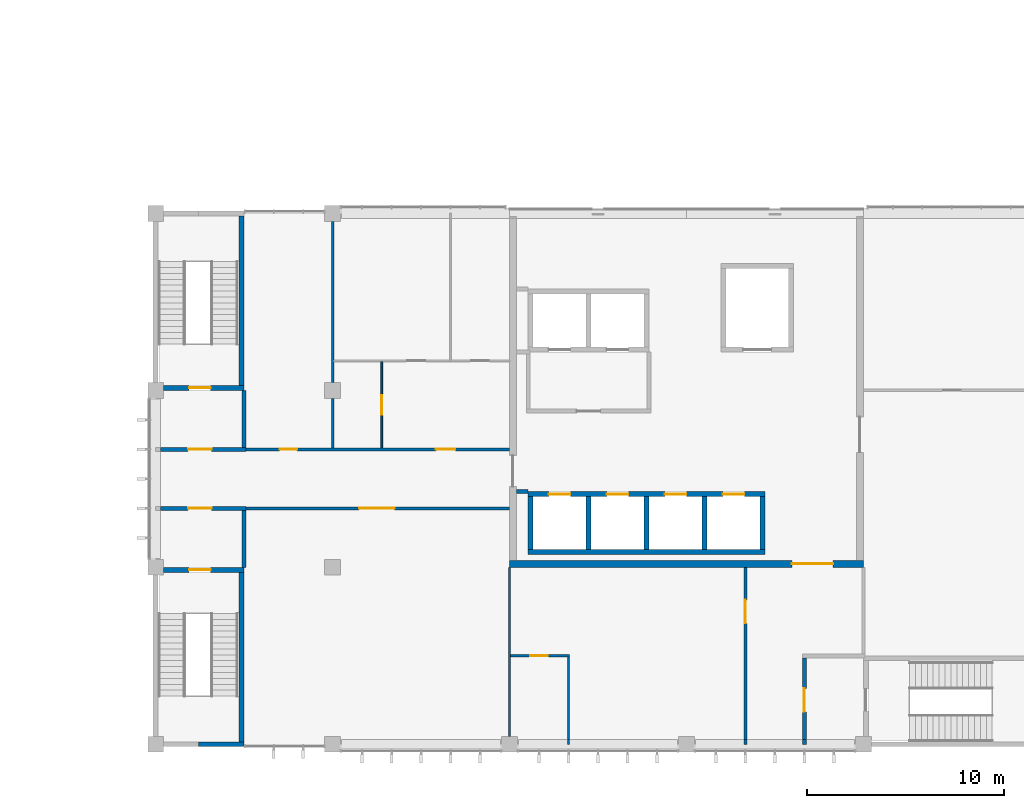
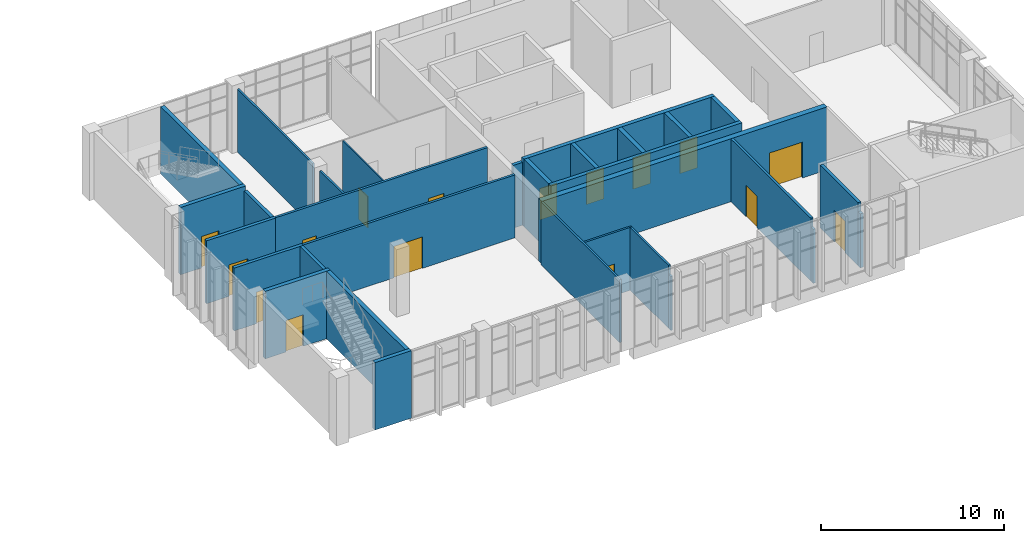
# One storey, part 28 of 40: 31 walls, 16 doors, 16 openings.
"""IFC4 building model written with IfcOpenShell, lengths in metres."""

from ifc_helpers import new_model, si_unit, direction, frame, frame_2d, origin, place, context, subcontext, project, spatial, rectangle, extrude, material, layer, layer_set, type_object, element, fill, save


model = new_model("IFC4")

# Units and contexts
model_context = context("Model", 3, precision=1e-05, world=origin(), true_north=direction((0.0, 1.0)))
body_context = subcontext(model_context, "Body", "Model", "MODEL_VIEW")
ifc_project = project(units=[si_unit("LENGTHUNIT", "METRE"), si_unit("AREAUNIT", "SQUARE_METRE"), si_unit("VOLUMEUNIT", "CUBIC_METRE"), si_unit("PLANEANGLEUNIT", "RADIAN"), si_unit("MASSUNIT", "GRAM", prefix="KILO")], contexts=[model_context])

# Site, building, storey
site_placement = place(None, origin())
site = spatial("IfcSite", under=ifc_project, at=site_placement, CompositionType="ELEMENT")
building_placement = place(site_placement, origin())
building = spatial("IfcBuilding", under=site, at=building_placement, Name="Guidao Yard Department Store", CompositionType="ELEMENT")
storey_placement = place(building_placement, frame((0.0, 0.0, 24.0)))
storey = spatial("IfcBuildingStorey", under=building, at=storey_placement, Name="L05", CompositionType="ELEMENT", Elevation=24.0)

# Wall, opening, door
ifc_material_1 = material(Name="Gypsum Board")
ifc_layer_1 = layer(ifc_material_1, 0.14990234375)
ifc_layer_set_1 = layer_set([ifc_layer_1], Name="Corridor Partition 150 Gypsum Board EI 60")
wall_type_1 = type_object("IfcWallType", Name="Corridor Partition 150 Gypsum Board EI 60", PredefinedType="PARTITIONING", material=ifc_layer_set_1)
wall_1_placement = place(storey_placement, frame((130.39990234375, 12.0, 0.0), z_axis=(0.0, 0.0, 1.0), x_axis=(1.0, 0.0, 0.0)))
wall_1 = element("IfcWall", 1, at=wall_1_placement, inside=storey, type_object=wall_type_1, Name="pt.wall.L05.0005", PredefinedType="PARTITIONING", context=body_context, shape_type="SweptSolid", body=[
    extrude(rectangle(XDim=13.60009765625, YDim=0.14990234375, at=frame_2d((6.800048828125, 0.0))), origin(), (0.0, 0.0, 1.0), 4.199951171875),
])
opening_1_placement = place(wall_1_placement, frame((7.75, 0.0, 0.0), z_axis=(0.0, 0.0, 1.0), x_axis=(-1.0, 0.0, 0.0)))
opening_1 = element("IfcOpeningElement", 2, at=opening_1_placement, cuts=wall_1, Name="Opening L05-412", PredefinedType="OPENING", context=body_context, shape_type="SweptSolid", body=[
    extrude(rectangle(XDim=1.800048828125, YDim=2.10009765625, at=frame_2d((0.89990234375, 1.050048828125))), frame((0.0, 0.0849609375, 0.0), z_axis=(0.0, -1.0, 0.0), x_axis=(1.0, 0.0, 0.0)), (0.0, 0.0, 1.0), 0.169921875),
])
ifc_material_2 = material(Name="Timber door leaf with Steel Q235 frame", Category="steel")
door_type_1 = type_object("IfcDoorType", Name="Door 1800 x 2100 FD30 Double Leaf", OperationType="DOUBLE_DOOR_SINGLE_SWING", PredefinedType="DOOR", material=ifc_material_2)
door_1_placement = place(opening_1_placement, origin())
door_1 = element("IfcDoor", 3, at=door_1_placement, inside=storey, type_object=door_type_1, Name="Door L05-412", OperationType="DOUBLE_DOOR_SINGLE_SWING", OverallHeight=2.10009765625, OverallWidth=1.800048828125, PredefinedType="DOOR", context=body_context, shape_type="SweptSolid", body=[
    extrude(rectangle(XDim=1.800048828125, YDim=2.10009765625, at=frame_2d((0.89990234375, 1.050048828125))), frame((0.0, 0.02490234375, 0.0), z_axis=(0.0, -1.0, 0.0), x_axis=(1.0, 0.0, 0.0)), (0.0, 0.0, 1.0), 0.050048828125),
])
fill(opening_1, door_1)

# Wall, openings, doors
wall_2_placement = place(storey_placement, frame((130.39990234375, 15.0, 0.0), z_axis=(0.0, 0.0, 1.0), x_axis=(1.0, 0.0, 0.0)))
wall_2 = element("IfcWall", 4, at=wall_2_placement, inside=storey, type_object=wall_type_1, Name="pt.wall.L05.0008", PredefinedType="PARTITIONING", context=body_context, shape_type="SweptSolid", body=[
    extrude(rectangle(XDim=13.60009765625, YDim=0.14990234375, at=frame_2d((6.800048828125, 0.0))), origin(), (0.0, 0.0, 1.0), 4.199951171875),
])
opening_2_placement = place(wall_2_placement, frame((9.85009765625, 0.0, 0.0)))
opening_2 = element("IfcOpeningElement", 5, at=opening_2_placement, cuts=wall_2, Name="Opening L05-407", PredefinedType="OPENING", context=body_context, shape_type="SweptSolid", body=[
    extrude(rectangle(XDim=1.0, YDim=2.10009765625, at=frame_2d((0.5, 1.050048828125))), frame((0.0, 0.0849609375, 0.0), z_axis=(0.0, -1.0, 0.0), x_axis=(1.0, 0.0, 0.0)), (0.0, 0.0, 1.0), 0.169921875),
])
opening_3_placement = place(wall_2_placement, frame((1.89990234375, 0.0, 0.0)))
opening_3 = element("IfcOpeningElement", 6, at=opening_3_placement, cuts=wall_2, Name="Opening L05-411", PredefinedType="OPENING", context=body_context, shape_type="SweptSolid", body=[
    extrude(rectangle(XDim=0.89990234375, YDim=2.10009765625, at=frame_2d((0.449951171875, 1.050048828125))), frame((0.0, 0.0849609375, 0.0), z_axis=(0.0, -1.0, 0.0), x_axis=(1.0, 0.0, 0.0)), (0.0, 0.0, 1.0), 0.169921875),
])
ifc_material_3 = material(Name="Timber door leaf with Steel Q235 frame", Category="steel")
door_type_2 = type_object("IfcDoorType", Name="Door 1000 x 2100 FD30 Single Leaf", OperationType="SINGLE_SWING_LEFT", PredefinedType="DOOR", material=ifc_material_3)
door_2_placement = place(opening_2_placement, origin())
door_2 = element("IfcDoor", 7, at=door_2_placement, inside=storey, type_object=door_type_2, Name="Door L05-407", OperationType="SINGLE_SWING_RIGHT", OverallHeight=2.10009765625, OverallWidth=1.0, PredefinedType="DOOR", context=body_context, shape_type="SweptSolid", body=[
    extrude(rectangle(XDim=1.0, YDim=2.10009765625, at=frame_2d((0.5, 1.050048828125))), frame((0.0, 0.02490234375, 0.0), z_axis=(0.0, -1.0, 0.0), x_axis=(1.0, 0.0, 0.0)), (0.0, 0.0, 1.0), 0.050048828125),
])
fill(opening_2, door_2)
ifc_material_4 = material(Name="Timber door leaf with Steel Q235 frame", Category="steel")
door_type_3 = type_object("IfcDoorType", Name="Door 900 x 2100 FD30 Single Leaf", OperationType="SINGLE_SWING_LEFT", PredefinedType="DOOR", material=ifc_material_4)
door_3_placement = place(opening_3_placement, origin())
door_3 = element("IfcDoor", 8, at=door_3_placement, inside=storey, type_object=door_type_3, Name="Door L05-411", OperationType="SINGLE_SWING_LEFT", OverallHeight=2.10009765625, OverallWidth=0.89990234375, PredefinedType="DOOR", context=body_context, shape_type="SweptSolid", body=[
    extrude(rectangle(XDim=0.89990234375, YDim=2.10009765625, at=frame_2d((0.449951171875, 1.050048828125))), frame((0.0, 0.02490234375, 0.0), z_axis=(0.0, -1.0, 0.0), x_axis=(1.0, 0.0, 0.0)), (0.0, 0.0, 1.0), 0.050048828125),
])
fill(opening_3, door_3)

# Wall
wall_3_placement = place(storey_placement, frame((156.0, 0.0, 0.0), z_axis=(0.0, 0.0, 1.0), x_axis=(0.0, 1.0, 0.0)))
element("IfcWall", 9, at=wall_3_placement, inside=storey, type_object=wall_type_1, Name="pt.wall.L05.0025", PredefinedType="PARTITIONING", context=body_context, shape_type="SweptSolid", body=[
    extrude(rectangle(XDim=0.25, YDim=0.14990234375, at=frame_2d((0.125, 0.0))), origin(), (0.0, 0.0, 1.0), 3.60009765625),
])

# Wall, opening, door
wall_4_placement = place(storey_placement, frame((156.0, 0.25, 0.0), z_axis=(0.0, 0.0, 1.0), x_axis=(0.0, 1.0, 0.0)))
wall_4 = element("IfcWall", 10, at=wall_4_placement, inside=storey, type_object=wall_type_1, Name="pt.wall.L05.0025a", PredefinedType="PARTITIONING", context=body_context, shape_type="SweptSolid", body=[
    extrude(rectangle(XDim=8.75, YDim=0.14990234375, at=frame_2d((4.375, 0.0))), origin(), (0.0, 0.0, 1.0), 4.199951171875),
])
opening_4_placement = place(wall_4_placement, frame((5.89990234375, 0.0, 0.0)))
opening_4 = element("IfcOpeningElement", 11, at=opening_4_placement, cuts=wall_4, Name="Opening L05-413", PredefinedType="OPENING", context=body_context, shape_type="SweptSolid", body=[
    extrude(rectangle(XDim=1.199951171875, YDim=2.10009765625, at=frame_2d((0.60009765625, 1.050048828125))), frame((0.0, 0.0849609375, 0.0), z_axis=(0.0, -1.0, 0.0), x_axis=(1.0, 0.0, 0.0)), (0.0, 0.0, 1.0), 0.169921875),
])
ifc_material_5 = material(Name="Timber door leaf with Steel Q235 frame", Category="steel")
door_type_4 = type_object("IfcDoorType", Name="Door 1200 x 2100 FD30 Single Leaf", OperationType="SINGLE_SWING_LEFT", PredefinedType="DOOR", material=ifc_material_5)
door_4_placement = place(opening_4_placement, origin())
door_4 = element("IfcDoor", 12, at=door_4_placement, inside=storey, type_object=door_type_4, Name="Door L05-413", OperationType="SINGLE_SWING_RIGHT", OverallHeight=2.10009765625, OverallWidth=1.199951171875, PredefinedType="DOOR", context=body_context, shape_type="SweptSolid", body=[
    extrude(rectangle(XDim=1.199951171875, YDim=2.10009765625, at=frame_2d((0.60009765625, 1.050048828125))), frame((0.0, 0.02490234375, 0.0), z_axis=(0.0, -1.0, 0.0), x_axis=(1.0, 0.0, 0.0)), (0.0, 0.0, 1.0), 0.050048828125),
])
fill(opening_4, door_4)

ifc_material_6 = material(Name="Gypsum Board")
ifc_layer_2 = layer(ifc_material_6, 0.1201171875)
ifc_layer_set_2 = layer_set([ifc_layer_2], Name="Partition 120 Gypsum Board EI 45")
wall_type_2 = type_object("IfcWallType", Name="Partition 120 Gypsum Board EI 45", PredefinedType="PARTITIONING", material=ifc_layer_set_2)
wall_5_placement = place(storey_placement, frame((144.06005859375, 4.5, 0.0), z_axis=(0.0, 0.0, 1.0), x_axis=(1.0, 0.0, 0.0)))
wall_5 = element("IfcWall", 13, at=wall_5_placement, inside=storey, type_object=wall_type_2, Name="pt.wall.L05.0001", PredefinedType="PARTITIONING", context=body_context, shape_type="SweptSolid", body=[
    extrude(rectangle(XDim=3.0, YDim=0.1201171875, at=frame_2d((1.5, 0.0))), origin(), (0.0, 0.0, 1.0), 4.199951171875),
])
opening_5_placement = place(wall_5_placement, frame((1.889892578125, 0.0, 0.0), z_axis=(0.0, 0.0, 1.0), x_axis=(-1.0, 0.0, 0.0)))
opening_5 = element("IfcOpeningElement", 14, at=opening_5_placement, cuts=wall_5, Name="Opening L05-414", PredefinedType="OPENING", context=body_context, shape_type="SweptSolid", body=[
    extrude(rectangle(XDim=0.89990234375, YDim=2.10009765625, at=frame_2d((0.449951171875, 1.050048828125))), frame((0.0, 0.070068359375, 0.0), z_axis=(0.0, -1.0, 0.0), x_axis=(1.0, 0.0, 0.0)), (0.0, 0.0, 1.0), 0.14013671875),
])
ifc_material_7 = material(Name="Timber door leaf with Steel Q235 frame", Category="steel")
door_type_5 = type_object("IfcDoorType", Name="Door 900 x 2100 NOT RATED Single Leaf", OperationType="SINGLE_SWING_LEFT", PredefinedType="DOOR", material=ifc_material_7)
door_5_placement = place(opening_5_placement, origin())
door_5 = element("IfcDoor", 15, at=door_5_placement, inside=storey, type_object=door_type_5, Name="Door L05-414", OperationType="SINGLE_SWING_RIGHT", OverallHeight=2.10009765625, OverallWidth=0.89990234375, PredefinedType="DOOR", context=body_context, shape_type="SweptSolid", body=[
    extrude(rectangle(XDim=0.89990234375, YDim=2.10009765625, at=frame_2d((0.449951171875, 1.050048828125))), frame((0.0, 0.02490234375, 0.0), z_axis=(0.0, -1.0, 0.0), x_axis=(1.0, 0.0, 0.0)), (0.0, 0.0, 1.0), 0.050048828125),
])
fill(opening_5, door_5)

# Walls
wall_6_placement = place(storey_placement, frame((135.0, 15.074951171875, 0.0), z_axis=(0.0, 0.0, 1.0), x_axis=(0.0, 1.0, 0.0)))
element("IfcWall", 16, at=wall_6_placement, inside=storey, type_object=wall_type_2, Name="pt.wall.L05.0016", PredefinedType="PARTITIONING", context=body_context, shape_type="SweptSolid", body=[
    extrude(rectangle(XDim=2.525146484375, YDim=0.1201171875, at=frame_2d((1.2626953125, 0.0))), origin(), (0.0, 0.0, 1.0), 4.199951171875),
])
wall_7_placement = place(storey_placement, frame((135.0, 18.39990234375, 0.0), z_axis=(0.0, 0.0, 1.0), x_axis=(0.0, 1.0, 0.0)))
element("IfcWall", 17, at=wall_7_placement, inside=storey, type_object=wall_type_2, Name="pt.wall.L05.0017", PredefinedType="PARTITIONING", context=body_context, shape_type="SweptSolid", body=[
    extrude(rectangle(XDim=8.2001953125, YDim=0.1201171875, at=frame_2d((4.10009765625, 0.0))), origin(), (0.0, 0.0, 1.0), 4.199951171875),
])
wall_8_placement = place(storey_placement, frame((144.0, 0.39990234375, 0.0), z_axis=(0.0, 0.0, 1.0), x_axis=(0.0, 1.0, 0.0)))
element("IfcWall", 18, at=wall_8_placement, inside=storey, type_object=wall_type_2, Name="pt.wall.L05.0020", PredefinedType="PARTITIONING", context=body_context, shape_type="SweptSolid", body=[
    extrude(rectangle(XDim=8.60009765625, YDim=0.1201171875, at=frame_2d((4.300048828125, 0.0))), origin(), (0.0, 0.0, 1.0), 4.199951171875),
])
wall_9_placement = place(storey_placement, frame((147.0, 0.0, 0.0), z_axis=(0.0, 0.0, 1.0), x_axis=(0.0, 1.0, 0.0)))
element("IfcWall", 19, at=wall_9_placement, inside=storey, type_object=wall_type_2, Name="pt.wall.L05.0023", PredefinedType="PARTITIONING", context=body_context, shape_type="SweptSolid", body=[
    extrude(rectangle(XDim=0.25, YDim=0.1201171875, at=frame_2d((0.125, 0.0))), origin(), (0.0, 0.0, 1.0), 3.60009765625),
])
wall_10_placement = place(storey_placement, frame((147.0, 0.25, 0.0), z_axis=(0.0, 0.0, 1.0), x_axis=(0.0, 1.0, 0.0)))
element("IfcWall", 20, at=wall_10_placement, inside=storey, type_object=wall_type_2, Name="pt.wall.L05.0023a", PredefinedType="PARTITIONING", context=body_context, shape_type="SweptSolid", body=[
    extrude(rectangle(XDim=4.18994140625, YDim=0.1201171875, at=frame_2d((2.094970703125, 0.0))), origin(), (0.0, 0.0, 1.0), 4.199951171875),
])

# Wall, opening, door
ifc_material_8 = material(Name="Gypsum Board")
ifc_layer_3 = layer(ifc_material_8, 0.080078125)
ifc_layer_set_3 = layer_set([ifc_layer_3], Name="Sanitary Partition 80 Gypsum Board EI 45")
wall_type_3 = type_object("IfcWallType", Name="Sanitary Partition 80 Gypsum Board EI 45", PredefinedType="PARTITIONING", material=ifc_layer_set_3)
wall_11_placement = place(storey_placement, frame((137.5, 15.074951171875, 0.0), z_axis=(0.0, 0.0, 1.0), x_axis=(0.0, 1.0, 0.0)))
wall_11 = element("IfcWall", 21, at=wall_11_placement, inside=storey, type_object=wall_type_3, Name="pt.wall.L05.0018", PredefinedType="PARTITIONING", context=body_context, shape_type="SweptSolid", body=[
    extrude(rectangle(XDim=4.385009765625, YDim=0.080078125, at=frame_2d((2.1923828125, 0.0))), origin(), (0.0, 0.0, 1.0), 4.199951171875),
])
opening_6_placement = place(wall_11_placement, frame((1.675048828125, 0.0, 0.0)))
opening_6 = element("IfcOpeningElement", 22, at=opening_6_placement, cuts=wall_11, Name="Opening L05-408", PredefinedType="OPENING", context=body_context, shape_type="SweptSolid", body=[
    extrude(rectangle(XDim=1.0, YDim=2.10009765625, at=frame_2d((0.5, 1.050048828125))), frame((0.0, 0.050048828125, 0.0), z_axis=(0.0, -1.0, 0.0), x_axis=(1.0, 0.0, 0.0)), (0.0, 0.0, 1.0), 0.10009765625),
])
ifc_material_9 = material(Name="Timber door leaf with Steel Q235 frame", Category="steel")
door_type_6 = type_object("IfcDoorType", Name="Door 1000 x 2100 NOT RATED Single Leaf", OperationType="SINGLE_SWING_LEFT", PredefinedType="DOOR", material=ifc_material_9)
door_6_placement = place(opening_6_placement, origin())
door_6 = element("IfcDoor", 23, at=door_6_placement, inside=storey, type_object=door_type_6, Name="Door L05-408", OperationType="SINGLE_SWING_RIGHT", OverallHeight=2.10009765625, OverallWidth=1.0, PredefinedType="DOOR", context=body_context, shape_type="SweptSolid", body=[
    extrude(rectangle(XDim=1.0, YDim=2.10009765625, at=frame_2d((0.5, 1.050048828125))), frame((0.0, 0.02490234375, 0.0), z_axis=(0.0, -1.0, 0.0), x_axis=(1.0, 0.0, 0.0)), (0.0, 0.0, 1.0), 0.050048828125),
])
fill(opening_6, door_6)

ifc_material_10 = material(Name="Autoclaved aerated concrete block A3.5 B06", Category="concrete")
ifc_layer_4 = layer(ifc_material_10, 0.199951171875)
ifc_layer_set_4 = layer_set([ifc_layer_4], Name="Shaft Wall 200 Autoclaved Block EI 120")
wall_type_4 = type_object("IfcWallType", Name="Shaft Wall 200 Autoclaved Block EI 120", PredefinedType="PARTITIONING", material=ifc_layer_set_4)
wall_12_placement = place(storey_placement, frame((126.25, 12.0, 0.0), z_axis=(0.0, 0.0, 1.0), x_axis=(1.0, 0.0, 0.0)))
wall_12 = element("IfcWall", 24, at=wall_12_placement, inside=storey, type_object=wall_type_4, Name="pt.wall.L05.0004a", PredefinedType="PARTITIONING", context=body_context, shape_type="SweptSolid", body=[
    extrude(rectangle(XDim=4.35009765625, YDim=0.199951171875, at=frame_2d((2.175048828125, 0.0))), origin(), (0.0, 0.0, 1.0), 4.199951171875),
])
opening_7_placement = place(wall_12_placement, frame((2.599853515625, 0.0, 0.0), z_axis=(0.0, 0.0, 1.0), x_axis=(-1.0, 0.0, 0.0)))
opening_7 = element("IfcOpeningElement", 25, at=opening_7_placement, cuts=wall_12, Name="Opening L05-401", PredefinedType="OPENING", context=body_context, shape_type="SweptSolid", body=[
    extrude(rectangle(XDim=1.199951171875, YDim=2.10009765625, at=frame_2d((0.60009765625, 1.050048828125))), frame((0.0, 0.10986328125, 0.0), z_axis=(0.0, -1.0, 0.0), x_axis=(1.0, 0.0, 0.0)), (0.0, 0.0, 1.0), 0.219970703125),
])
ifc_material_11 = material(Name="Timber door leaf with Steel Q235 frame", Category="steel")
door_type_7 = type_object("IfcDoorType", Name="Door 1200 x 2100 FD60 Single Leaf", OperationType="SINGLE_SWING_LEFT", PredefinedType="DOOR", material=ifc_material_11)
door_7_placement = place(opening_7_placement, origin())
door_7 = element("IfcDoor", 26, at=door_7_placement, inside=storey, type_object=door_type_7, Name="Door L05-401", OperationType="SINGLE_SWING_RIGHT", OverallHeight=2.10009765625, OverallWidth=1.199951171875, PredefinedType="DOOR", context=body_context, shape_type="SweptSolid", body=[
    extrude(rectangle(XDim=1.199951171875, YDim=2.10009765625, at=frame_2d((0.60009765625, 1.050048828125))), frame((0.0, 0.02490234375, 0.0), z_axis=(0.0, -1.0, 0.0), x_axis=(1.0, 0.0, 0.0)), (0.0, 0.0, 1.0), 0.050048828125),
])
fill(opening_7, door_7)

# Wall
wall_13_placement = place(storey_placement, frame((144.35009765625, 12.85009765625, 0.0), z_axis=(0.0, 0.0, 1.0), x_axis=(1.0, 0.0, 0.0)))
element("IfcWall", 27, at=wall_13_placement, inside=storey, type_object=wall_type_4, Name="pt.wall.L05.0006", PredefinedType="PARTITIONING", context=body_context, shape_type="SweptSolid", body=[
    extrude(rectangle(XDim=0.599853515625, YDim=0.199951171875, at=frame_2d((0.2998046875, 0.0))), origin(), (0.0, 0.0, 1.0), 4.199951171875),
])

# Wall, opening, door
wall_14_placement = place(storey_placement, frame((126.25, 15.0, 0.0), z_axis=(0.0, 0.0, 1.0), x_axis=(1.0, 0.0, 0.0)))
wall_14 = element("IfcWall", 28, at=wall_14_placement, inside=storey, type_object=wall_type_4, Name="pt.wall.L05.0007a", PredefinedType="PARTITIONING", context=body_context, shape_type="SweptSolid", body=[
    extrude(rectangle(XDim=4.35009765625, YDim=0.199951171875, at=frame_2d((2.175048828125, 0.0))), origin(), (0.0, 0.0, 1.0), 4.199951171875),
])
opening_8_placement = place(wall_14_placement, frame((1.39990234375, 0.0, 0.0)))
opening_8 = element("IfcOpeningElement", 29, at=opening_8_placement, cuts=wall_14, Name="Opening L05-403", PredefinedType="OPENING", context=body_context, shape_type="SweptSolid", body=[
    extrude(rectangle(XDim=1.199951171875, YDim=2.10009765625, at=frame_2d((0.60009765625, 1.050048828125))), frame((0.0, 0.10986328125, 0.0), z_axis=(0.0, -1.0, 0.0), x_axis=(1.0, 0.0, 0.0)), (0.0, 0.0, 1.0), 0.219970703125),
])
door_8_placement = place(opening_8_placement, origin())
door_8 = element("IfcDoor", 30, at=door_8_placement, inside=storey, type_object=door_type_7, Name="Door L05-403", OperationType="SINGLE_SWING_LEFT", OverallHeight=2.10009765625, OverallWidth=1.199951171875, PredefinedType="DOOR", context=body_context, shape_type="SweptSolid", body=[
    extrude(rectangle(XDim=1.199951171875, YDim=2.10009765625, at=frame_2d((0.60009765625, 1.050048828125))), frame((0.0, 0.02490234375, 0.0), z_axis=(0.0, -1.0, 0.0), x_axis=(1.0, 0.0, 0.0)), (0.0, 0.0, 1.0), 0.050048828125),
])
fill(opening_8, door_8)

# Walls
for number, where, z_axis, x_axis, name in (
    (31, (130.5, 9.0, 0.0), (0.0, 0.0, 1.0), (0.0, 1.0, 0.0), "pt.wall.L05.0014"),
    (32, (130.5, 15.10009765625, 0.0), (0.0, 0.0, 1.0), (0.0, 1.0, 0.0), "pt.wall.L05.0015"),
):
    element("IfcWall", number, at=place(storey_placement, frame(where, z_axis=z_axis, x_axis=x_axis)), inside=storey, type_object=wall_type_4, Name=name, PredefinedType="PARTITIONING", context=body_context, shape_type="SweptSolid", body=[
        extrude(rectangle(XDim=2.89990234375, YDim=0.199951171875, at=frame_2d((1.449951171875, 0.0))), origin(), (0.0, 0.0, 1.0), 4.199951171875),
    ])
wall_15_placement = place(storey_placement, frame((159.0, 0.0, 0.0), z_axis=(0.0, 0.0, 1.0), x_axis=(0.0, 1.0, 0.0)))
element("IfcWall", 33, at=wall_15_placement, inside=storey, type_object=wall_type_4, Name="pt.wall.L05.0026", PredefinedType="PARTITIONING", context=body_context, shape_type="SweptSolid", body=[
    extrude(rectangle(XDim=0.25, YDim=0.199951171875, at=frame_2d((0.125, 0.0))), origin(), (0.0, 0.0, 1.0), 3.60009765625),
])

# Wall, opening, door
wall_16_placement = place(storey_placement, frame((159.0, 0.25, 0.0), z_axis=(0.0, 0.0, 1.0), x_axis=(0.0, 1.0, 0.0)))
wall_16 = element("IfcWall", 34, at=wall_16_placement, inside=storey, type_object=wall_type_4, Name="pt.wall.L05.0026a", PredefinedType="PARTITIONING", context=body_context, shape_type="SweptSolid", body=[
    extrude(rectangle(XDim=4.14990234375, YDim=0.199951171875, at=frame_2d((2.074951171875, 0.0))), origin(), (0.0, 0.0, 1.0), 4.199951171875),
])
opening_9_placement = place(wall_16_placement, frame((2.599853515625, 0.0, 0.0), z_axis=(0.0, 0.0, 1.0), x_axis=(-1.0, 0.0, 0.0)))
opening_9 = element("IfcOpeningElement", 35, at=opening_9_placement, cuts=wall_16, Name="Opening L05-402", PredefinedType="OPENING", context=body_context, shape_type="SweptSolid", body=[
    extrude(rectangle(XDim=1.199951171875, YDim=2.10009765625, at=frame_2d((0.60009765625, 1.050048828125))), frame((0.0, 0.10986328125, 0.0), z_axis=(0.0, -1.0, 0.0), x_axis=(1.0, 0.0, 0.0)), (0.0, 0.0, 1.0), 0.219970703125),
])
door_9_placement = place(opening_9_placement, origin())
door_9 = element("IfcDoor", 36, at=door_9_placement, inside=storey, type_object=door_type_7, Name="Door L05-402", OperationType="SINGLE_SWING_RIGHT", OverallHeight=2.10009765625, OverallWidth=1.199951171875, PredefinedType="DOOR", context=body_context, shape_type="SweptSolid", body=[
    extrude(rectangle(XDim=1.199951171875, YDim=2.10009765625, at=frame_2d((0.60009765625, 1.050048828125))), frame((0.0, 0.02490234375, 0.0), z_axis=(0.0, -1.0, 0.0), x_axis=(1.0, 0.0, 0.0)), (0.0, 0.0, 1.0), 0.050048828125),
])
fill(opening_9, door_9)

ifc_material_12 = material(Name="Concrete C50", Category="concrete")
ifc_layer_5 = layer(ifc_material_12, 0.35009765625)
ifc_layer_set_5 = layer_set([ifc_layer_5], Name="Shear Wall 350 Concrete C50")
wall_type_5 = type_object("IfcWallType", Name="Shear Wall 350 Concrete C50", PredefinedType="SHEAR", material=ifc_layer_set_5)
wall_17_placement = place(storey_placement, frame((144.0, 9.175048828125, 0.0), z_axis=(0.0, 0.0, 1.0), x_axis=(1.0, 0.0, 0.0)))
wall_17 = element("IfcWall", 37, at=wall_17_placement, inside=storey, type_object=wall_type_5, Name="pt.wall.L05.0003", PredefinedType="SHEAR", context=body_context, shape_type="SweptSolid", body=[
    extrude(rectangle(XDim=18.0, YDim=0.35009765625, at=frame_2d((9.0, 0.0))), origin(), (0.0, 0.0, 1.0), 4.199951171875),
])
opening_10_placement = place(wall_17_placement, frame((16.462646484375, 0.0, 0.0), z_axis=(0.0, 0.0, 1.0), x_axis=(-1.0, 0.0, 0.0)))
opening_10 = element("IfcOpeningElement", 38, at=opening_10_placement, cuts=wall_17, Name="Opening L05-406", PredefinedType="OPENING", context=body_context, shape_type="SweptSolid", body=[
    extrude(rectangle(XDim=2.10009765625, YDim=2.39990234375, at=frame_2d((1.050048828125, 1.199951171875))), frame((0.0, 0.18505859375, 0.0), z_axis=(0.0, -1.0, 0.0), x_axis=(1.0, 0.0, 0.0)), (0.0, 0.0, 1.0), 0.3701171875),
])
ifc_material_13 = material(Name="Timber door leaf with Steel Q235 frame", Category="steel")
door_type_8 = type_object("IfcDoorType", Name="Door 2100 x 2400 FD60 Double Leaf", OperationType="DOUBLE_DOOR_SINGLE_SWING", PredefinedType="DOOR", material=ifc_material_13)
door_10_placement = place(opening_10_placement, origin())
door_10 = element("IfcDoor", 39, at=door_10_placement, inside=storey, type_object=door_type_8, Name="Door L05-406", OperationType="DOUBLE_DOOR_SINGLE_SWING", OverallHeight=2.39990234375, OverallWidth=2.10009765625, PredefinedType="DOOR", context=body_context, shape_type="SweptSolid", body=[
    extrude(rectangle(XDim=2.10009765625, YDim=2.39990234375, at=frame_2d((1.050048828125, 1.199951171875))), frame((0.0, 0.02490234375, 0.0), z_axis=(0.0, -1.0, 0.0), x_axis=(1.0, 0.0, 0.0)), (0.0, 0.0, 1.0), 0.050048828125),
])
fill(opening_10, door_10)

# Wall
ifc_material_14 = material(Name="Concrete C40", Category="concrete")
ifc_layer_6 = layer(ifc_material_14, 0.25)
ifc_layer_set_6 = layer_set([ifc_layer_6], Name="Wall RC 250 C40 stair and shaft")
wall_type_6 = type_object("IfcWallType", Name="Wall RC 250 C40 stair and shaft", PredefinedType="SHEAR", material=ifc_layer_set_6)
wall_18_placement = place(storey_placement, frame((128.18798828125, 0.0, 0.0), z_axis=(0.0, 0.0, 1.0), x_axis=(1.0, 0.0, 0.0)))
element("IfcWall", 40, at=wall_18_placement, inside=storey, type_object=wall_type_6, Name="Stair wall SO1", PredefinedType="SHEAR", context=body_context, shape_type="SweptSolid", body=[
    extrude(rectangle(XDim=2.31201171875, YDim=0.25, at=frame_2d((1.156005859375, 0.0))), origin(), (0.0, 0.0, 1.0), 4.5),
])

# Wall, opening, door
wall_19_placement = place(storey_placement, frame((126.39990234375, 8.875, 0.0), z_axis=(0.0, 0.0, 1.0), x_axis=(1.0, 0.0, 0.0)))
wall_19 = element("IfcWall", 41, at=wall_19_placement, inside=storey, type_object=wall_type_6, Name="Stair wall SO1", PredefinedType="SHEAR", context=body_context, shape_type="SweptSolid", body=[
    extrude(rectangle(XDim=4.10009765625, YDim=0.25, at=frame_2d((2.050048828125, 0.0))), origin(), (0.0, 0.0, 1.0), 4.5),
])
opening_11_placement = place(wall_19_placement, frame((2.400146484375, 0.0, 0.0), z_axis=(0.0, 0.0, 1.0), x_axis=(-1.0, 0.0, 0.0)))
opening_11 = element("IfcOpeningElement", 42, at=opening_11_placement, cuts=wall_19, Name="Opening L05-808", PredefinedType="OPENING", context=body_context, shape_type="SweptSolid", body=[
    extrude(rectangle(XDim=1.10009765625, YDim=2.10009765625, at=frame_2d((0.550048828125, 1.050048828125))), frame((0.0, 0.135009765625, 0.0), z_axis=(0.0, -1.0, 0.0), x_axis=(1.0, 0.0, 0.0)), (0.0, 0.0, 1.0), 0.27001953125),
])
ifc_material_15 = material(Name="Steel Q235", Category="steel")
door_type_9 = type_object("IfcDoorType", Name="Door fire-resisting 1100 x 2100 FD60", OperationType="SINGLE_SWING_LEFT", PredefinedType="DOOR", material=ifc_material_15)
door_11_placement = place(opening_11_placement, origin())
door_11 = element("IfcDoor", 43, at=door_11_placement, inside=storey, type_object=door_type_9, Name="Stair O1 door L05", OperationType="SINGLE_SWING_RIGHT", OverallHeight=2.10009765625, OverallWidth=1.10009765625, PredefinedType="DOOR", context=body_context, shape_type="SweptSolid", body=[
    extrude(rectangle(XDim=1.10009765625, YDim=2.10009765625, at=frame_2d((0.550048828125, 1.050048828125))), frame((0.0, 0.02490234375, 0.0), z_axis=(0.0, -1.0, 0.0), x_axis=(1.0, 0.0, 0.0)), (0.0, 0.0, 1.0), 0.050048828125),
])
fill(opening_11, door_11)

# Wall
wall_20_placement = place(storey_placement, frame((130.375, 0.125, 0.0), z_axis=(0.0, 0.0, 1.0), x_axis=(0.0, 1.0, 0.0)))
element("IfcWall", 44, at=wall_20_placement, inside=storey, type_object=wall_type_6, Name="Stair wall SO1", PredefinedType="SHEAR", context=body_context, shape_type="SweptSolid", body=[
    extrude(rectangle(XDim=8.625, YDim=0.25, at=frame_2d((4.3125, 0.0))), origin(), (0.0, 0.0, 1.0), 4.5),
])

# Wall, opening, door
wall_21_placement = place(storey_placement, frame((126.39990234375, 18.125, 0.0), z_axis=(0.0, 0.0, 1.0), x_axis=(1.0, 0.0, 0.0)))
wall_21 = element("IfcWall", 45, at=wall_21_placement, inside=storey, type_object=wall_type_6, Name="Stair wall SO3", PredefinedType="SHEAR", context=body_context, shape_type="SweptSolid", body=[
    extrude(rectangle(XDim=4.10009765625, YDim=0.25, at=frame_2d((2.050048828125, 0.0))), origin(), (0.0, 0.0, 1.0), 4.5),
])
opening_12_placement = place(wall_21_placement, frame((1.300048828125, 0.0, 0.0)))
opening_12 = element("IfcOpeningElement", 46, at=opening_12_placement, cuts=wall_21, Name="Opening L05-810", PredefinedType="OPENING", context=body_context, shape_type="SweptSolid", body=[
    extrude(rectangle(XDim=1.10009765625, YDim=2.10009765625, at=frame_2d((0.550048828125, 1.050048828125))), frame((0.0, 0.135009765625, 0.0), z_axis=(0.0, -1.0, 0.0), x_axis=(1.0, 0.0, 0.0)), (0.0, 0.0, 1.0), 0.27001953125),
])
door_12_placement = place(opening_12_placement, origin())
door_12 = element("IfcDoor", 47, at=door_12_placement, inside=storey, type_object=door_type_9, Name="Stair O3 door L05", OperationType="SINGLE_SWING_LEFT", OverallHeight=2.10009765625, OverallWidth=1.10009765625, PredefinedType="DOOR", context=body_context, shape_type="SweptSolid", body=[
    extrude(rectangle(XDim=1.10009765625, YDim=2.10009765625, at=frame_2d((0.550048828125, 1.050048828125))), frame((0.0, 0.02490234375, 0.0), z_axis=(0.0, -1.0, 0.0), x_axis=(1.0, 0.0, 0.0)), (0.0, 0.0, 1.0), 0.050048828125),
])
fill(opening_12, door_12)

# Wall
wall_22_placement = place(storey_placement, frame((130.375, 18.25, 0.0), z_axis=(0.0, 0.0, 1.0), x_axis=(0.0, 1.0, 0.0)))
element("IfcWall", 48, at=wall_22_placement, inside=storey, type_object=wall_type_6, Name="Stair wall SO3", PredefinedType="SHEAR", context=body_context, shape_type="SweptSolid", body=[
    extrude(rectangle(XDim=8.625, YDim=0.25, at=frame_2d((4.3125, 0.0))), origin(), (0.0, 0.0, 1.0), 4.5),
])

# Wall, openings, doors
wall_23_placement = place(storey_placement, frame((144.949951171875, 12.72509765625, 0.0), z_axis=(0.0, 0.0, 1.0), x_axis=(1.0, 0.0, 0.0)))
wall_23 = element("IfcWall", 49, at=wall_23_placement, inside=storey, type_object=wall_type_6, Name="Lift shaft wall OL1 to OL4", PredefinedType="SHEAR", context=body_context, shape_type="SweptSolid", body=[
    extrude(rectangle(XDim=12.050048828125, YDim=0.25, at=frame_2d((6.02490234375, 0.0))), origin(), (0.0, 0.0, 1.0), 4.5),
])
opening_13_placement = place(wall_23_placement, frame((1.050048828125, 0.0, 0.0)))
opening_13 = element("IfcOpeningElement", 50, at=opening_13_placement, cuts=wall_23, Name="Opening LD-OL1-L05", PredefinedType="OPENING", context=body_context, shape_type="SweptSolid", body=[
    extrude(rectangle(XDim=1.10009765625, YDim=2.10009765625, at=frame_2d((0.550048828125, 1.050048828125))), frame((0.0, 0.135009765625, 0.0), z_axis=(0.0, -1.0, 0.0), x_axis=(1.0, 0.0, 0.0)), (0.0, 0.0, 1.0), 0.27001953125),
])
opening_14_placement = place(wall_23_placement, frame((4.0, 0.0, 0.0)))
opening_14 = element("IfcOpeningElement", 51, at=opening_14_placement, cuts=wall_23, Name="Opening LD-OL2-L05", PredefinedType="OPENING", context=body_context, shape_type="SweptSolid", body=[
    extrude(rectangle(XDim=1.10009765625, YDim=2.10009765625, at=frame_2d((0.550048828125, 1.050048828125))), frame((0.0, 0.135009765625, 0.0), z_axis=(0.0, -1.0, 0.0), x_axis=(1.0, 0.0, 0.0)), (0.0, 0.0, 1.0), 0.27001953125),
])
opening_15_placement = place(wall_23_placement, frame((6.949951171875, 0.0, 0.0)))
opening_15 = element("IfcOpeningElement", 52, at=opening_15_placement, cuts=wall_23, Name="Opening LD-OL3-L05", PredefinedType="OPENING", context=body_context, shape_type="SweptSolid", body=[
    extrude(rectangle(XDim=1.10009765625, YDim=2.10009765625, at=frame_2d((0.550048828125, 1.050048828125))), frame((0.0, 0.135009765625, 0.0), z_axis=(0.0, -1.0, 0.0), x_axis=(1.0, 0.0, 0.0)), (0.0, 0.0, 1.0), 0.27001953125),
])
opening_16_placement = place(wall_23_placement, frame((9.89990234375, 0.0, 0.0)))
opening_16 = element("IfcOpeningElement", 53, at=opening_16_placement, cuts=wall_23, Name="Opening LD-OL4-L05", PredefinedType="OPENING", context=body_context, shape_type="SweptSolid", body=[
    extrude(rectangle(XDim=1.10009765625, YDim=2.10009765625, at=frame_2d((0.550048828125, 1.050048828125))), frame((0.0, 0.135009765625, 0.0), z_axis=(0.0, -1.0, 0.0), x_axis=(1.0, 0.0, 0.0)), (0.0, 0.0, 1.0), 0.27001953125),
])
ifc_material_16 = material(Name="Stainless steel 06Cr19Ni10", Category="steel")
door_type_10 = type_object("IfcDoorType", Name="Lift landing door fire-resisting sliding 1100 x 2100", OperationType="DOUBLE_DOOR_SLIDING", PredefinedType="DOOR", material=ifc_material_16)
door_13_placement = place(opening_13_placement, origin())
door_13 = element("IfcDoor", 54, at=door_13_placement, inside=storey, type_object=door_type_10, Name="Lift landing door OL1 L05", OperationType="DOUBLE_DOOR_SLIDING", OverallHeight=2.10009765625, OverallWidth=1.10009765625, PredefinedType="DOOR", context=body_context, shape_type="SweptSolid", body=[
    extrude(rectangle(XDim=1.10009765625, YDim=2.10009765625, at=frame_2d((0.550048828125, 1.050048828125))), frame((0.0, 0.02490234375, 0.0), z_axis=(0.0, -1.0, 0.0), x_axis=(1.0, 0.0, 0.0)), (0.0, 0.0, 1.0), 0.050048828125),
])
fill(opening_13, door_13)
door_14_placement = place(opening_14_placement, origin())
door_14 = element("IfcDoor", 55, at=door_14_placement, inside=storey, type_object=door_type_10, Name="Lift landing door OL2 L05", OperationType="DOUBLE_DOOR_SLIDING", OverallHeight=2.10009765625, OverallWidth=1.10009765625, PredefinedType="DOOR", context=body_context, shape_type="SweptSolid", body=[
    extrude(rectangle(XDim=1.10009765625, YDim=2.10009765625, at=frame_2d((0.550048828125, 1.050048828125))), frame((0.0, 0.02490234375, 0.0), z_axis=(0.0, -1.0, 0.0), x_axis=(1.0, 0.0, 0.0)), (0.0, 0.0, 1.0), 0.050048828125),
])
fill(opening_14, door_14)
door_15_placement = place(opening_15_placement, origin())
door_15 = element("IfcDoor", 56, at=door_15_placement, inside=storey, type_object=door_type_10, Name="Lift landing door OL3 L05", OperationType="DOUBLE_DOOR_SLIDING", OverallHeight=2.10009765625, OverallWidth=1.10009765625, PredefinedType="DOOR", context=body_context, shape_type="SweptSolid", body=[
    extrude(rectangle(XDim=1.10009765625, YDim=2.10009765625, at=frame_2d((0.550048828125, 1.050048828125))), frame((0.0, 0.02490234375, 0.0), z_axis=(0.0, -1.0, 0.0), x_axis=(1.0, 0.0, 0.0)), (0.0, 0.0, 1.0), 0.050048828125),
])
fill(opening_15, door_15)
door_16_placement = place(opening_16_placement, origin())
door_16 = element("IfcDoor", 57, at=door_16_placement, inside=storey, type_object=door_type_10, Name="Lift landing door OL4 L05", OperationType="DOUBLE_DOOR_SLIDING", OverallHeight=2.10009765625, OverallWidth=1.10009765625, PredefinedType="DOOR", context=body_context, shape_type="SweptSolid", body=[
    extrude(rectangle(XDim=1.10009765625, YDim=2.10009765625, at=frame_2d((0.550048828125, 1.050048828125))), frame((0.0, 0.02490234375, 0.0), z_axis=(0.0, -1.0, 0.0), x_axis=(1.0, 0.0, 0.0)), (0.0, 0.0, 1.0), 0.050048828125),
])
fill(opening_16, door_16)

# Walls
wall_24_placement = place(storey_placement, frame((144.949951171875, 9.77490234375, 0.0), z_axis=(0.0, 0.0, 1.0), x_axis=(1.0, 0.0, 0.0)))
element("IfcWall", 58, at=wall_24_placement, inside=storey, type_object=wall_type_6, Name="Lift shaft wall OL1 to OL4", PredefinedType="SHEAR", context=body_context, shape_type="SweptSolid", body=[
    extrude(rectangle(XDim=12.050048828125, YDim=0.25, at=frame_2d((6.02490234375, 0.0))), origin(), (0.0, 0.0, 1.0), 4.5),
])
for number, where, z_axis, x_axis, name in (
    (59, (145.074951171875, 9.89990234375, 0.0), (0.0, 0.0, 1.0), (0.0, 1.0, 0.0), "Lift shaft wall OL1 to OL4"),
    (60, (148.02490234375, 9.89990234375, 0.0), (0.0, 0.0, 1.0), (0.0, 1.0, 0.0), "Lift shaft wall OL1 to OL4"),
    (61, (150.97509765625, 9.89990234375, 0.0), (0.0, 0.0, 1.0), (0.0, 1.0, 0.0), "Lift shaft wall OL1 to OL4"),
    (62, (153.925048828125, 9.89990234375, 0.0), (0.0, 0.0, 1.0), (0.0, 1.0, 0.0), "Lift shaft wall OL1 to OL4"),
    (63, (156.875, 9.89990234375, 0.0), (0.0, 0.0, 1.0), (0.0, 1.0, 0.0), "Lift shaft wall OL1 to OL4"),
):
    element("IfcWall", number, at=place(storey_placement, frame(where, z_axis=z_axis, x_axis=x_axis)), inside=storey, type_object=wall_type_6, Name=name, PredefinedType="SHEAR", context=body_context, shape_type="SweptSolid", body=[
        extrude(rectangle(XDim=2.7001953125, YDim=0.25, at=frame_2d((1.35009765625, 0.0))), origin(), (0.0, 0.0, 1.0), 4.5),
    ])

save(model, "model.ifc")
